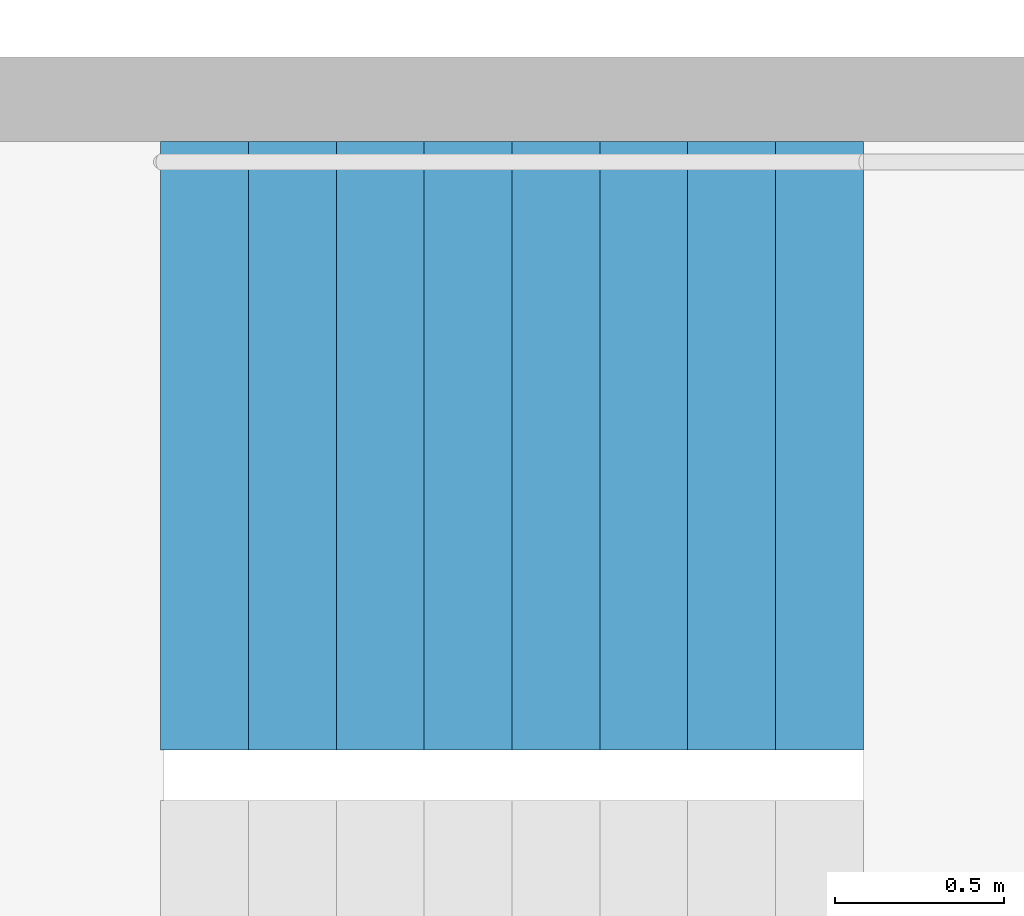
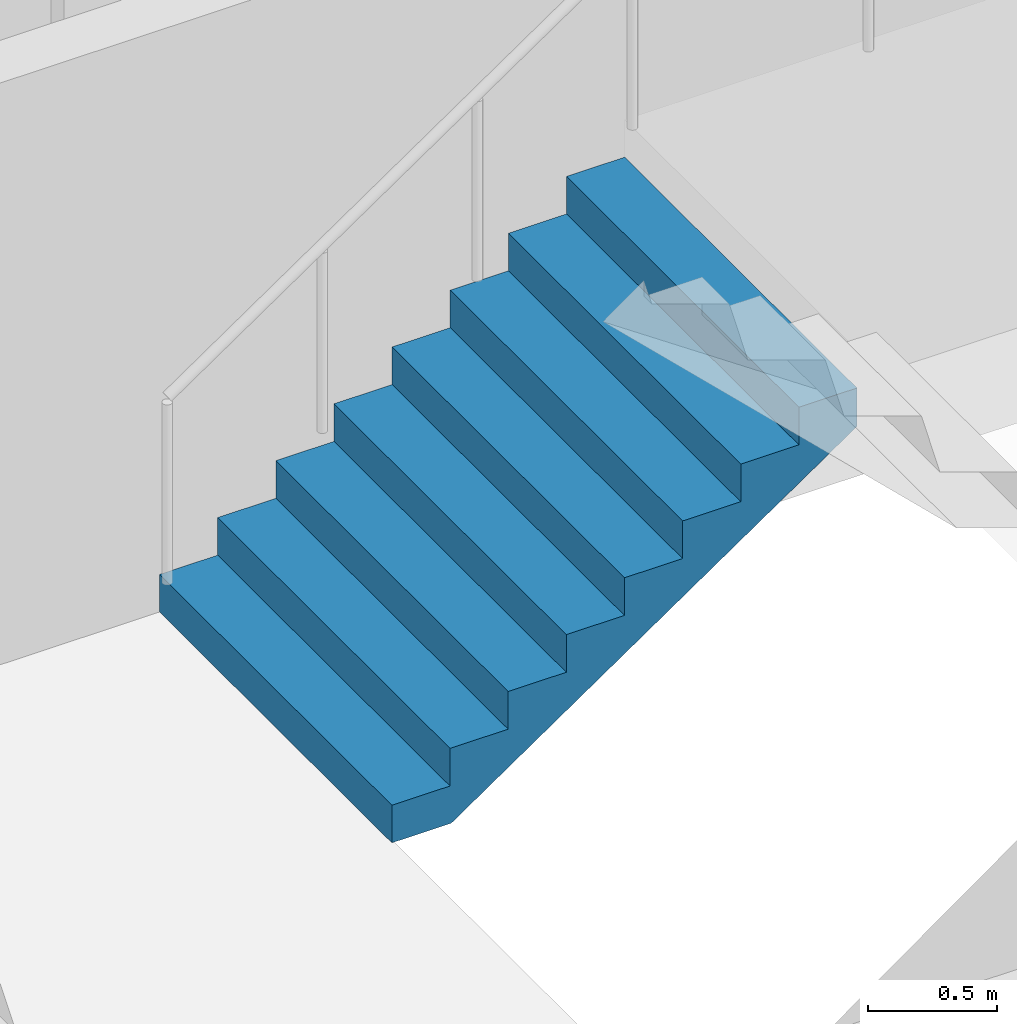
# One storey, part 24 of 32: 1 stair flight, 1 element without a shape of its own.
"""IFC4 building model written with IfcOpenShell, lengths in metres."""

import ifcopenshell
import ifcopenshell.guid

model = None  # the IFC model being written
_history = None  # IfcOwnerHistory: only IFC2X3 demands one
_inside = {}  # id of a spatial element -> (the spatial element, [elements in it])
_under = {}  # id of a project, library or spatial element -> (it, [spatial elements below it])
_declared = {}  # id of a project -> (the project, [libraries it declares])
_typed = {}  # id of a type object -> (the type object, [elements of that type])
_made_of = {}  # id of a material, layer set ... -> (it, [elements and type objects made of it])


def new_model(schema):
    """Start an empty IFC model of exactly this schema.

    Asked for "IFC4X3", IfcOpenShell would pick the latest addendum, in which some entities
    have other attributes; the version numbers below select the first issue.
    IFC2X3 requires an IfcOwnerHistory on every rooted entity: one is made here for all.
    """
    global model, _history
    if schema == "IFC4X3":
        model = ifcopenshell.file(schema_version=(4, 3, 0, 0))
    else:
        model = ifcopenshell.file(schema=schema)
    _inside.clear()
    _under.clear()
    _declared.clear()
    _typed.clear()
    _made_of.clear()
    _history = None
    if model.schema == "IFC2X3":
        org = make("IfcOrganization", Name="unknown")
        user = make(
            "IfcPersonAndOrganization",
            ThePerson=make("IfcPerson", FamilyName="unknown"),
            TheOrganization=org,
        )
        app = make(
            "IfcApplication",
            ApplicationDeveloper=org,
            Version="unknown",
            ApplicationFullName="unknown",
            ApplicationIdentifier="unknown",
        )
        _history = make(
            "IfcOwnerHistory",
            OwningUser=user,
            OwningApplication=app,
            ChangeAction="ADDED",
            CreationDate=0,
        )
    return model


def make(cls, **values):
    """One entity of the class cls with the attributes given. An attribute that is None is left unset."""
    return model.create_entity(
        cls, **{name: value for name, value in values.items() if value is not None}
    )


def rooted(cls, **values):
    """An entity with a GlobalId (a new one), such as an element, a storey or a relation."""
    return make(cls, GlobalId=ifcopenshell.guid.new(), OwnerHistory=_history, **values)


def si_unit(unit_type, name, prefix=None):
    """IfcSIUnit, for example si_unit("LENGTHUNIT", "METRE", prefix="MILLI")."""
    return make("IfcSIUnit", UnitType=unit_type, Prefix=prefix, Name=name)


def assignment(units):
    """IfcUnitAssignment: the units of a project."""
    return None if units is None else make("IfcUnitAssignment", Units=units)


def point(xyz):
    """IfcCartesianPoint."""
    return None if xyz is None else make("IfcCartesianPoint", Coordinates=xyz)


def direction(xyz):
    """IfcDirection."""
    return None if xyz is None else make("IfcDirection", DirectionRatios=xyz)


def frame(location, z_axis=None, x_axis=None):
    """IfcAxis2Placement3D, a coordinate frame: its origin and axes. An axis left out is left unset."""
    return make(
        "IfcAxis2Placement3D",
        Location=point(location),
        Axis=direction(z_axis),
        RefDirection=direction(x_axis),
    )


def origin():
    """The frame at (0, 0, 0) with its axes left unset."""
    return frame((0.0, 0.0, 0.0))


def place(relative_to, where):
    """IfcLocalPlacement: puts the frame where relative to a parent placement (None: the world)."""
    return make(
        "IfcLocalPlacement", PlacementRelTo=relative_to, RelativePlacement=where
    )


def context(
    kind, dimensions, precision=None, world=None, true_north=None, identifier=None
):
    """IfcGeometricRepresentationContext, for example the 3D "Model" context."""
    return make(
        "IfcGeometricRepresentationContext",
        ContextIdentifier=identifier,
        ContextType=kind,
        CoordinateSpaceDimension=dimensions,
        Precision=precision,
        WorldCoordinateSystem=world,
        TrueNorth=true_north,
    )


def subcontext(parent, identifier, kind, view, scale=None):
    """IfcGeometricRepresentationSubContext, for example "Body" below "Model"."""
    return make(
        "IfcGeometricRepresentationSubContext",
        ContextIdentifier=identifier,
        ContextType=kind,
        ParentContext=parent,
        TargetScale=scale,
        TargetView=view,
    )


def project(units=None, contexts=None):
    """IfcProject with its units and contexts."""
    return rooted(
        "IfcProject",
        Name="project",
        RepresentationContexts=contexts,
        UnitsInContext=assignment(units),
    )


def spatial(cls, under=None, at=None, **own):
    """A site, building, storey or space (cls), placed at a placement, below another one or the project."""
    s = rooted(cls, ObjectPlacement=at, **own)
    if under is not None:
        _under.setdefault(under.id(), (under, []))[1].append(s)
    return s


def point_list(points):
    """IfcCartesianPointList2D or 3D."""
    cls = (
        "IfcCartesianPointList2D" if len(points[0]) == 2 else "IfcCartesianPointList3D"
    )
    return make(cls, CoordList=points)


def triangles(points, corners, closed=None, point_numbers=None):
    """IfcTriangulatedFaceSet: each triangle names its three corners, points numbered from 1."""
    return make(
        "IfcTriangulatedFaceSet",
        Coordinates=point_list(points),
        Closed=closed,
        CoordIndex=corners,
        PnIndex=point_numbers,
    )


def shape(context_of_items, identifier, shape_type, items):
    """IfcShapeRepresentation: the items that make up one representation, for example the "Body"."""
    return make(
        "IfcShapeRepresentation",
        ContextOfItems=context_of_items,
        RepresentationIdentifier=identifier,
        RepresentationType=shape_type,
        Items=items,
    )


def material(Name=None, Category=None):
    """IfcMaterial."""
    return make("IfcMaterial", Name=Name, Category=Category)


def made_of(thing, what):
    """Note that an element or type object is made of a material, layer set ...; save() writes the relation."""
    if what is not None:
        _made_of.setdefault(what.id(), (what, []))[1].append(thing)
    return thing


def type_object(cls, material=None, **own):
    """A type object (cls), such as IfcWallType, which elements share."""
    return made_of(rooted(cls, **own), material)


def element(
    cls,
    number,
    at=None,
    inside=None,
    cuts=None,
    type_object=None,
    material=None,
    context=None,
    identifier="Body",
    shape_type=None,
    held_by="IfcProductDefinitionShape",
    body=None,
    shapes=None,
    **own,
):
    """One element of the class cls, such as IfcWall. Its Tag is "e" and its number.

    at: its placement. inside: the storey or other place that contains it. cuts: it is an
    opening in that element (IfcRelVoidsElement). A single representation is given by context,
    identifier, shape_type and body (its items); several are given by shapes. held_by: the class
    of the entity that holds the representations. save() writes the other relations.
    """
    e = rooted(cls, Tag="e%d" % number, ObjectPlacement=at, **own)
    if body is not None:
        shapes = [shape(context, identifier, shape_type, body)]
    if shapes is not None:
        e.Representation = make(held_by, Representations=shapes)
    if inside is not None:
        _inside.setdefault(inside.id(), (inside, []))[1].append(e)
    if cuts is not None:
        rooted(
            "IfcRelVoidsElement", RelatingBuildingElement=cuts, RelatedOpeningElement=e
        )
    if type_object is not None:
        _typed.setdefault(type_object.id(), (type_object, []))[1].append(e)
    return made_of(e, material)


def aggregate(whole, parts):
    """IfcRelAggregates: a whole, such as a stair, and the parts it consists of."""
    return rooted("IfcRelAggregates", RelatingObject=whole, RelatedObjects=parts)


def save(model, path):
    """Write the relations noted so far, then the file.

    IfcRelAggregates (storeys below a building ...), IfcRelContainedInSpatialStructure (elements
    in a storey), IfcRelDefinesByType, IfcRelAssociatesMaterial and IfcRelDeclares: one each for
    every whole, place, type object, material and project.
    """
    for whole, parts in _under.values():
        aggregate(whole, parts)
    for where, things in _inside.values():
        rooted(
            "IfcRelContainedInSpatialStructure",
            RelatedElements=things,
            RelatingStructure=where,
        )
    for kind, things in _typed.values():
        rooted("IfcRelDefinesByType", RelatedObjects=things, RelatingType=kind)
    for what, things in _made_of.values():
        rooted("IfcRelAssociatesMaterial", RelatedObjects=things, RelatingMaterial=what)
    for by, libraries in _declared.values():
        rooted("IfcRelDeclares", RelatingContext=by, RelatedDefinitions=libraries)
    model.write(path)


model = new_model("IFC4")

# Units and contexts
model_context = context("Model", 3, precision=1e-05, world=origin(), true_north=direction((0.0, 1.0)))
body_context = subcontext(model_context, "Body", "Model", "MODEL_VIEW")
ifc_project = project(units=[si_unit("LENGTHUNIT", "METRE"), si_unit("AREAUNIT", "SQUARE_METRE"), si_unit("VOLUMEUNIT", "CUBIC_METRE"), si_unit("PLANEANGLEUNIT", "RADIAN"), si_unit("MASSUNIT", "GRAM", prefix="KILO")], contexts=[model_context])

# Site, building, storey
site_placement = place(None, origin())
site = spatial("IfcSite", under=ifc_project, at=site_placement, CompositionType="ELEMENT")
building_placement = place(site_placement, origin())
building = spatial("IfcBuilding", under=site, at=building_placement, Name="Hakoniwa Tower and Hamabe Station Hall", CompositionType="ELEMENT")
storey_placement = place(building_placement, frame((0.0, 0.0, 150.199951171875)))
storey = spatial("IfcBuildingStorey", under=building, at=storey_placement, Name="L42", CompositionType="ELEMENT", Elevation=150.199951171875)

# Stair, stair flight
ifc_material_1 = material(Name="Concrete C40", Category="concrete")
stair_type = type_object("IfcStairType", Name="ESCAPE STAIR 1800", PredefinedType="HALF_TURN_STAIR", material=ifc_material_1)
stair_placement = place(storey_placement, origin())
stair = element("IfcStair", 1, at=stair_placement, inside=storey, type_object=stair_type, Name="Escape stair ST-4 L42", PredefinedType="HALF_TURN_STAIR")
ifc_material_2 = material(Name="Concrete C40", Category="concrete")
stair_flight_type = type_object("IfcStairFlightType", Name="STAIR FLIGHT 1800", PredefinedType="STRAIGHT", material=ifc_material_2)
stair_flight_placement = place(storey_placement, frame((23.39990234375, -4.64990234375, 0.0), z_axis=(0.0, 0.0, 1.0), x_axis=(1.0, 0.0, 0.0)))
stair_flight = element("IfcStairFlight", 2, at=stair_flight_placement, type_object=stair_flight_type, Name="ST-4 flight 1", NumberOfRisers=9, NumberOfTreads=8, PredefinedType="STRAIGHT", RiserHeight=0.177777778, TreadLength=0.26, context=body_context, shape_type="Tessellation", body=[
    triangles([(0.0, 0.89990234375, 0.0), (0.260009765625, 0.89990234375, 0.0), (0.265625, 0.89990234375, 0.0), (0.52001953125, 0.89990234375, 0.174072265625), (0.780029296875, 0.89990234375, 0.351806640625), (1.0400390625, 0.89990234375, 0.529541015625), (1.300048828125, 0.89990234375, 0.707275390625), (1.56005859375, 0.89990234375, 0.885009765625), (1.820068359375, 0.89990234375, 1.062744140625), (2.080078125, 0.89990234375, 1.24072265625), (2.080078125, 0.89990234375, 1.422119140625), (1.820068359375, 0.89990234375, 1.422119140625), (1.820068359375, 0.89990234375, 1.244384765625), (1.56005859375, 0.89990234375, 1.244384765625), (1.56005859375, 0.89990234375, 1.066650390625), (1.300048828125, 0.89990234375, 1.066650390625), (1.300048828125, 0.89990234375, 0.888916015625), (1.0400390625, 0.89990234375, 0.888916015625), (1.0400390625, 0.89990234375, 0.711181640625), (0.780029296875, 0.89990234375, 0.711181640625), (0.780029296875, 0.89990234375, 0.533447265625), (0.52001953125, 0.89990234375, 0.533447265625), (0.52001953125, 0.89990234375, 0.35546875), (0.265625, 0.89990234375, 0.35546875), (0.260009765625, 0.89990234375, 0.35546875), (0.260009765625, 0.89990234375, 0.177734375), (0.0, 0.89990234375, 0.177734375), (0.0, 0.06005859375, 0.0), (0.260009765625, 0.06005859375, 0.0), (0.265625, 0.06005859375, 0.0), (0.52001953125, 0.06005859375, 0.174072265625), (0.780029296875, 0.06005859375, 0.351806640625), (1.0400390625, 0.06005859375, 0.529541015625), (1.300048828125, 0.06005859375, 0.707275390625), (1.56005859375, 0.06005859375, 0.885009765625), (1.820068359375, 0.06005859375, 1.062744140625), (2.080078125, 0.06005859375, 1.24072265625), (2.080078125, 0.06005859375, 1.422119140625), (1.820068359375, 0.06005859375, 1.422119140625), (1.820068359375, 0.06005859375, 1.244384765625), (1.56005859375, 0.06005859375, 1.244384765625), (1.56005859375, 0.06005859375, 1.066650390625), (1.300048828125, 0.06005859375, 1.066650390625), (1.300048828125, 0.06005859375, 0.888916015625), (1.0400390625, 0.06005859375, 0.888916015625), (1.0400390625, 0.06005859375, 0.711181640625), (0.780029296875, 0.06005859375, 0.711181640625), (0.780029296875, 0.06005859375, 0.533447265625), (0.52001953125, 0.06005859375, 0.533447265625), (0.52001953125, 0.06005859375, 0.35546875), (0.265625, 0.06005859375, 0.35546875), (0.260009765625, 0.06005859375, 0.35546875), (0.260009765625, 0.06005859375, 0.177734375), (0.0, 0.06005859375, 0.177734375), (0.0, 0.04296875, 0.0), (0.260009765625, 0.04296875, 0.0), (0.265625, 0.04296875, 0.0), (0.52001953125, 0.04296875, 0.174072265625), (0.780029296875, 0.04296875, 0.351806640625), (1.0400390625, 0.04296875, 0.529541015625), (1.300048828125, 0.04296875, 0.707275390625), (1.56005859375, 0.04296875, 0.885009765625), (1.820068359375, 0.04296875, 1.062744140625), (2.080078125, 0.04296875, 1.24072265625), (2.080078125, 0.04296875, 1.422119140625), (1.820068359375, 0.04296875, 1.422119140625), (1.820068359375, 0.04296875, 1.244384765625), (1.56005859375, 0.04296875, 1.244384765625), (1.56005859375, 0.04296875, 1.066650390625), (1.300048828125, 0.04296875, 1.066650390625), (1.300048828125, 0.04296875, 0.888916015625), (1.0400390625, 0.04296875, 0.888916015625), (1.0400390625, 0.04296875, 0.711181640625), (0.780029296875, 0.04296875, 0.711181640625), (0.780029296875, 0.04296875, 0.533447265625), (0.52001953125, 0.04296875, 0.533447265625), (0.52001953125, 0.04296875, 0.35546875), (0.265625, 0.04296875, 0.35546875), (0.260009765625, 0.04296875, 0.35546875), (0.260009765625, 0.04296875, 0.177734375), (0.0, 0.04296875, 0.177734375), (0.0, 0.025634765625, 0.0), (0.260009765625, 0.025634765625, 0.0), (0.265625, 0.025634765625, 0.0), (0.52001953125, 0.025634765625, 0.174072265625), (0.780029296875, 0.025634765625, 0.351806640625), (1.0400390625, 0.025634765625, 0.529541015625), (1.300048828125, 0.025634765625, 0.707275390625), (1.56005859375, 0.025634765625, 0.885009765625), (1.820068359375, 0.025634765625, 1.062744140625), (2.080078125, 0.025634765625, 1.24072265625), (2.080078125, 0.025634765625, 1.422119140625), (1.820068359375, 0.025634765625, 1.422119140625), (1.820068359375, 0.025634765625, 1.244384765625), (1.56005859375, 0.025634765625, 1.244384765625), (1.56005859375, 0.025634765625, 1.066650390625), (1.300048828125, 0.025634765625, 1.066650390625), (1.300048828125, 0.025634765625, 0.888916015625), (1.0400390625, 0.025634765625, 0.888916015625), (1.0400390625, 0.025634765625, 0.711181640625), (0.780029296875, 0.025634765625, 0.711181640625), (0.780029296875, 0.025634765625, 0.533447265625), (0.52001953125, 0.025634765625, 0.533447265625), (0.52001953125, 0.025634765625, 0.35546875), (0.265625, 0.025634765625, 0.35546875), (0.260009765625, 0.025634765625, 0.35546875), (0.260009765625, 0.025634765625, 0.177734375), (0.0, 0.025634765625, 0.177734375), (0.0, 0.008544921875, 0.0), (0.260009765625, 0.008544921875, 0.0), (0.265625, 0.008544921875, 0.0), (0.52001953125, 0.008544921875, 0.174072265625), (0.780029296875, 0.008544921875, 0.351806640625), (1.0400390625, 0.008544921875, 0.529541015625), (1.300048828125, 0.008544921875, 0.707275390625), (1.56005859375, 0.008544921875, 0.885009765625), (1.820068359375, 0.008544921875, 1.062744140625), (2.080078125, 0.008544921875, 1.24072265625), (2.080078125, 0.008544921875, 1.422119140625), (1.820068359375, 0.008544921875, 1.422119140625), (1.820068359375, 0.008544921875, 1.244384765625), (1.56005859375, 0.008544921875, 1.244384765625), (1.56005859375, 0.008544921875, 1.066650390625), (1.300048828125, 0.008544921875, 1.066650390625), (1.300048828125, 0.008544921875, 0.888916015625), (1.0400390625, 0.008544921875, 0.888916015625), (1.0400390625, 0.008544921875, 0.711181640625), (0.780029296875, 0.008544921875, 0.711181640625), (0.780029296875, 0.008544921875, 0.533447265625), (0.52001953125, 0.008544921875, 0.533447265625), (0.52001953125, 0.008544921875, 0.35546875), (0.265625, 0.008544921875, 0.35546875), (0.260009765625, 0.008544921875, 0.35546875), (0.260009765625, 0.008544921875, 0.177734375), (0.0, 0.008544921875, 0.177734375), (0.0, -0.008544921875, 0.0), (0.260009765625, -0.008544921875, 0.0), (0.265625, -0.008544921875, 0.0), (0.52001953125, -0.008544921875, 0.174072265625), (0.780029296875, -0.008544921875, 0.351806640625), (1.0400390625, -0.008544921875, 0.529541015625), (1.300048828125, -0.008544921875, 0.707275390625), (1.56005859375, -0.008544921875, 0.885009765625), (1.820068359375, -0.008544921875, 1.062744140625), (2.080078125, -0.008544921875, 1.24072265625), (2.080078125, -0.008544921875, 1.422119140625), (1.820068359375, -0.008544921875, 1.422119140625), (1.820068359375, -0.008544921875, 1.244384765625), (1.56005859375, -0.008544921875, 1.244384765625), (1.56005859375, -0.008544921875, 1.066650390625), (1.300048828125, -0.008544921875, 1.066650390625), (1.300048828125, -0.008544921875, 0.888916015625), (1.0400390625, -0.008544921875, 0.888916015625), (1.0400390625, -0.008544921875, 0.711181640625), (0.780029296875, -0.008544921875, 0.711181640625), (0.780029296875, -0.008544921875, 0.533447265625), (0.52001953125, -0.008544921875, 0.533447265625), (0.52001953125, -0.008544921875, 0.35546875), (0.265625, -0.008544921875, 0.35546875), (0.260009765625, -0.008544921875, 0.35546875), (0.260009765625, -0.008544921875, 0.177734375), (0.0, -0.008544921875, 0.177734375), (0.0, -0.025634765625, 0.0), (0.260009765625, -0.025634765625, 0.0), (0.265625, -0.025634765625, 0.0), (0.52001953125, -0.025634765625, 0.174072265625), (0.780029296875, -0.025634765625, 0.351806640625), (1.0400390625, -0.025634765625, 0.529541015625), (1.300048828125, -0.025634765625, 0.707275390625), (1.56005859375, -0.025634765625, 0.885009765625), (1.820068359375, -0.025634765625, 1.062744140625), (2.080078125, -0.025634765625, 1.24072265625), (2.080078125, -0.025634765625, 1.422119140625), (1.820068359375, -0.025634765625, 1.422119140625), (1.820068359375, -0.025634765625, 1.244384765625), (1.56005859375, -0.025634765625, 1.244384765625), (1.56005859375, -0.025634765625, 1.066650390625), (1.300048828125, -0.025634765625, 1.066650390625), (1.300048828125, -0.025634765625, 0.888916015625), (1.0400390625, -0.025634765625, 0.888916015625), (1.0400390625, -0.025634765625, 0.711181640625), (0.780029296875, -0.025634765625, 0.711181640625), (0.780029296875, -0.025634765625, 0.533447265625), (0.52001953125, -0.025634765625, 0.533447265625), (0.52001953125, -0.025634765625, 0.35546875), (0.265625, -0.025634765625, 0.35546875), (0.260009765625, -0.025634765625, 0.35546875), (0.260009765625, -0.025634765625, 0.177734375), (0.0, -0.025634765625, 0.177734375), (0.0, -0.04296875, 0.0), (0.260009765625, -0.04296875, 0.0), (0.265625, -0.04296875, 0.0), (0.52001953125, -0.04296875, 0.174072265625), (0.780029296875, -0.04296875, 0.351806640625), (1.0400390625, -0.04296875, 0.529541015625), (1.300048828125, -0.04296875, 0.707275390625), (1.56005859375, -0.04296875, 0.885009765625), (1.820068359375, -0.04296875, 1.062744140625), (2.080078125, -0.04296875, 1.24072265625), (2.080078125, -0.04296875, 1.422119140625), (1.820068359375, -0.04296875, 1.422119140625), (1.820068359375, -0.04296875, 1.244384765625), (1.56005859375, -0.04296875, 1.244384765625), (1.56005859375, -0.04296875, 1.066650390625), (1.300048828125, -0.04296875, 1.066650390625), (1.300048828125, -0.04296875, 0.888916015625), (1.0400390625, -0.04296875, 0.888916015625), (1.0400390625, -0.04296875, 0.711181640625), (0.780029296875, -0.04296875, 0.711181640625), (0.780029296875, -0.04296875, 0.533447265625), (0.52001953125, -0.04296875, 0.533447265625), (0.52001953125, -0.04296875, 0.35546875), (0.265625, -0.04296875, 0.35546875), (0.260009765625, -0.04296875, 0.35546875), (0.260009765625, -0.04296875, 0.177734375), (0.0, -0.04296875, 0.177734375), (0.0, -0.06005859375, 0.0), (0.260009765625, -0.06005859375, 0.0), (0.265625, -0.06005859375, 0.0), (0.52001953125, -0.06005859375, 0.174072265625), (0.780029296875, -0.06005859375, 0.351806640625), (1.0400390625, -0.06005859375, 0.529541015625), (1.300048828125, -0.06005859375, 0.707275390625), (1.56005859375, -0.06005859375, 0.885009765625), (1.820068359375, -0.06005859375, 1.062744140625), (2.080078125, -0.06005859375, 1.24072265625), (2.080078125, -0.06005859375, 1.422119140625), (1.820068359375, -0.06005859375, 1.422119140625), (1.820068359375, -0.06005859375, 1.244384765625), (1.56005859375, -0.06005859375, 1.244384765625), (1.56005859375, -0.06005859375, 1.066650390625), (1.300048828125, -0.06005859375, 1.066650390625), (1.300048828125, -0.06005859375, 0.888916015625), (1.0400390625, -0.06005859375, 0.888916015625), (1.0400390625, -0.06005859375, 0.711181640625), (0.780029296875, -0.06005859375, 0.711181640625), (0.780029296875, -0.06005859375, 0.533447265625), (0.52001953125, -0.06005859375, 0.533447265625), (0.52001953125, -0.06005859375, 0.35546875), (0.265625, -0.06005859375, 0.35546875), (0.260009765625, -0.06005859375, 0.35546875), (0.260009765625, -0.06005859375, 0.177734375), (0.0, -0.06005859375, 0.177734375), (0.0, -0.89990234375, 0.0), (0.260009765625, -0.89990234375, 0.0), (0.265625, -0.89990234375, 0.0), (0.52001953125, -0.89990234375, 0.174072265625), (0.780029296875, -0.89990234375, 0.351806640625), (1.0400390625, -0.89990234375, 0.529541015625), (1.300048828125, -0.89990234375, 0.707275390625), (1.56005859375, -0.89990234375, 0.885009765625), (1.820068359375, -0.89990234375, 1.062744140625), (2.080078125, -0.89990234375, 1.24072265625), (2.080078125, -0.89990234375, 1.422119140625), (1.820068359375, -0.89990234375, 1.422119140625), (1.820068359375, -0.89990234375, 1.244384765625), (1.56005859375, -0.89990234375, 1.244384765625), (1.56005859375, -0.89990234375, 1.066650390625), (1.300048828125, -0.89990234375, 1.066650390625), (1.300048828125, -0.89990234375, 0.888916015625), (1.0400390625, -0.89990234375, 0.888916015625), (1.0400390625, -0.89990234375, 0.711181640625), (0.780029296875, -0.89990234375, 0.711181640625), (0.780029296875, -0.89990234375, 0.533447265625), (0.52001953125, -0.89990234375, 0.533447265625), (0.52001953125, -0.89990234375, 0.35546875), (0.265625, -0.89990234375, 0.35546875), (0.260009765625, -0.89990234375, 0.35546875), (0.260009765625, -0.89990234375, 0.177734375), (0.0, -0.89990234375, 0.177734375)], [[2, 27, 26], [245, 269, 270], [2, 1, 27], [245, 270, 244], [3, 25, 24], [246, 267, 268], [3, 26, 25], [246, 268, 269], [3, 2, 26], [246, 269, 245], [4, 24, 23], [247, 266, 267], [4, 3, 24], [247, 267, 246], [5, 22, 21], [248, 264, 265], [5, 23, 22], [248, 265, 266], [5, 4, 23], [248, 266, 247], [6, 20, 19], [249, 262, 263], [6, 21, 20], [249, 263, 264], [6, 5, 21], [249, 264, 248], [7, 18, 17], [250, 260, 261], [7, 19, 18], [250, 261, 262], [7, 6, 19], [250, 262, 249], [8, 16, 15], [251, 258, 259], [8, 17, 16], [251, 259, 260], [8, 7, 17], [251, 260, 250], [9, 14, 13], [252, 256, 257], [9, 15, 14], [252, 257, 258], [9, 8, 15], [252, 258, 251], [10, 12, 11], [253, 254, 255], [10, 13, 12], [253, 255, 256], [10, 9, 13], [253, 256, 252], [1, 2, 29], [1, 29, 28], [28, 29, 56], [28, 56, 55], [55, 56, 83], [55, 83, 82], [82, 83, 110], [82, 110, 109], [109, 110, 137], [109, 137, 136], [136, 137, 164], [136, 164, 163], [163, 164, 191], [163, 191, 190], [190, 191, 218], [190, 218, 217], [217, 218, 245], [217, 245, 244], [2, 3, 30], [2, 30, 29], [29, 30, 57], [29, 57, 56], [56, 57, 84], [56, 84, 83], [83, 84, 111], [83, 111, 110], [110, 111, 138], [110, 138, 137], [137, 138, 165], [137, 165, 164], [164, 165, 192], [164, 192, 191], [191, 192, 219], [191, 219, 218], [218, 219, 246], [218, 246, 245], [3, 4, 31], [3, 31, 30], [30, 31, 58], [30, 58, 57], [57, 58, 85], [57, 85, 84], [84, 85, 112], [84, 112, 111], [111, 112, 139], [111, 139, 138], [138, 139, 166], [138, 166, 165], [165, 166, 193], [165, 193, 192], [192, 193, 220], [192, 220, 219], [219, 220, 247], [219, 247, 246], [4, 5, 32], [4, 32, 31], [31, 32, 59], [31, 59, 58], [58, 59, 86], [58, 86, 85], [85, 86, 113], [85, 113, 112], [112, 113, 140], [112, 140, 139], [139, 140, 167], [139, 167, 166], [166, 167, 194], [166, 194, 193], [193, 194, 221], [193, 221, 220], [220, 221, 248], [220, 248, 247], [5, 6, 33], [5, 33, 32], [32, 33, 60], [32, 60, 59], [59, 60, 87], [59, 87, 86], [86, 87, 114], [86, 114, 113], [113, 114, 141], [113, 141, 140], [140, 141, 168], [140, 168, 167], [167, 168, 195], [167, 195, 194], [194, 195, 222], [194, 222, 221], [221, 222, 249], [221, 249, 248], [6, 7, 34], [6, 34, 33], [33, 34, 61], [33, 61, 60], [60, 61, 88], [60, 88, 87], [87, 88, 115], [87, 115, 114], [114, 115, 142], [114, 142, 141], [141, 142, 169], [141, 169, 168], [168, 169, 196], [168, 196, 195], [195, 196, 223], [195, 223, 222], [222, 223, 250], [222, 250, 249], [7, 8, 35], [7, 35, 34], [34, 35, 62], [34, 62, 61], [61, 62, 89], [61, 89, 88], [88, 89, 116], [88, 116, 115], [115, 116, 143], [115, 143, 142], [142, 143, 170], [142, 170, 169], [169, 170, 197], [169, 197, 196], [196, 197, 224], [196, 224, 223], [223, 224, 251], [223, 251, 250], [8, 9, 36], [8, 36, 35], [35, 36, 63], [35, 63, 62], [62, 63, 90], [62, 90, 89], [89, 90, 117], [89, 117, 116], [116, 117, 144], [116, 144, 143], [143, 144, 171], [143, 171, 170], [170, 171, 198], [170, 198, 197], [197, 198, 225], [197, 225, 224], [224, 225, 252], [224, 252, 251], [9, 10, 37], [9, 37, 36], [36, 37, 64], [36, 64, 63], [63, 64, 91], [63, 91, 90], [90, 91, 118], [90, 118, 117], [117, 118, 145], [117, 145, 144], [144, 145, 172], [144, 172, 171], [171, 172, 199], [171, 199, 198], [198, 199, 226], [198, 226, 225], [225, 226, 253], [225, 253, 252], [10, 11, 38], [10, 38, 37], [37, 38, 65], [37, 65, 64], [64, 65, 92], [64, 92, 91], [91, 92, 119], [91, 119, 118], [118, 119, 146], [118, 146, 145], [145, 146, 173], [145, 173, 172], [172, 173, 200], [172, 200, 199], [199, 200, 227], [199, 227, 226], [226, 227, 254], [226, 254, 253], [11, 12, 39], [11, 39, 38], [38, 39, 66], [38, 66, 65], [65, 66, 93], [65, 93, 92], [92, 93, 120], [92, 120, 119], [119, 120, 147], [119, 147, 146], [146, 147, 174], [146, 174, 173], [173, 174, 201], [173, 201, 200], [200, 201, 228], [200, 228, 227], [227, 228, 255], [227, 255, 254], [12, 13, 40], [12, 40, 39], [39, 40, 67], [39, 67, 66], [66, 67, 94], [66, 94, 93], [93, 94, 121], [93, 121, 120], [120, 121, 148], [120, 148, 147], [147, 148, 175], [147, 175, 174], [174, 175, 202], [174, 202, 201], [201, 202, 229], [201, 229, 228], [228, 229, 256], [228, 256, 255], [13, 14, 41], [13, 41, 40], [40, 41, 68], [40, 68, 67], [67, 68, 95], [67, 95, 94], [94, 95, 122], [94, 122, 121], [121, 122, 149], [121, 149, 148], [148, 149, 176], [148, 176, 175], [175, 176, 203], [175, 203, 202], [202, 203, 230], [202, 230, 229], [229, 230, 257], [229, 257, 256], [14, 15, 42], [14, 42, 41], [41, 42, 69], [41, 69, 68], [68, 69, 96], [68, 96, 95], [95, 96, 123], [95, 123, 122], [122, 123, 150], [122, 150, 149], [149, 150, 177], [149, 177, 176], [176, 177, 204], [176, 204, 203], [203, 204, 231], [203, 231, 230], [230, 231, 258], [230, 258, 257], [15, 16, 43], [15, 43, 42], [42, 43, 70], [42, 70, 69], [69, 70, 97], [69, 97, 96], [96, 97, 124], [96, 124, 123], [123, 124, 151], [123, 151, 150], [150, 151, 178], [150, 178, 177], [177, 178, 205], [177, 205, 204], [204, 205, 232], [204, 232, 231], [231, 232, 259], [231, 259, 258], [16, 17, 44], [16, 44, 43], [43, 44, 71], [43, 71, 70], [70, 71, 98], [70, 98, 97], [97, 98, 125], [97, 125, 124], [124, 125, 152], [124, 152, 151], [151, 152, 179], [151, 179, 178], [178, 179, 206], [178, 206, 205], [205, 206, 233], [205, 233, 232], [232, 233, 260], [232, 260, 259], [17, 18, 45], [17, 45, 44], [44, 45, 72], [44, 72, 71], [71, 72, 99], [71, 99, 98], [98, 99, 126], [98, 126, 125], [125, 126, 153], [125, 153, 152], [152, 153, 180], [152, 180, 179], [179, 180, 207], [179, 207, 206], [206, 207, 234], [206, 234, 233], [233, 234, 261], [233, 261, 260], [18, 19, 46], [18, 46, 45], [45, 46, 73], [45, 73, 72], [72, 73, 100], [72, 100, 99], [99, 100, 127], [99, 127, 126], [126, 127, 154], [126, 154, 153], [153, 154, 181], [153, 181, 180], [180, 181, 208], [180, 208, 207], [207, 208, 235], [207, 235, 234], [234, 235, 262], [234, 262, 261], [19, 20, 47], [19, 47, 46], [46, 47, 74], [46, 74, 73], [73, 74, 101], [73, 101, 100], [100, 101, 128], [100, 128, 127], [127, 128, 155], [127, 155, 154], [154, 155, 182], [154, 182, 181], [181, 182, 209], [181, 209, 208], [208, 209, 236], [208, 236, 235], [235, 236, 263], [235, 263, 262], [20, 21, 48], [20, 48, 47], [47, 48, 75], [47, 75, 74], [74, 75, 102], [74, 102, 101], [101, 102, 129], [101, 129, 128], [128, 129, 156], [128, 156, 155], [155, 156, 183], [155, 183, 182], [182, 183, 210], [182, 210, 209], [209, 210, 237], [209, 237, 236], [236, 237, 264], [236, 264, 263], [21, 22, 49], [21, 49, 48], [48, 49, 76], [48, 76, 75], [75, 76, 103], [75, 103, 102], [102, 103, 130], [102, 130, 129], [129, 130, 157], [129, 157, 156], [156, 157, 184], [156, 184, 183], [183, 184, 211], [183, 211, 210], [210, 211, 238], [210, 238, 237], [237, 238, 265], [237, 265, 264], [22, 23, 50], [22, 50, 49], [49, 50, 77], [49, 77, 76], [76, 77, 104], [76, 104, 103], [103, 104, 131], [103, 131, 130], [130, 131, 158], [130, 158, 157], [157, 158, 185], [157, 185, 184], [184, 185, 212], [184, 212, 211], [211, 212, 239], [211, 239, 238], [238, 239, 266], [238, 266, 265], [23, 24, 51], [23, 51, 50], [50, 51, 78], [50, 78, 77], [77, 78, 105], [77, 105, 104], [104, 105, 132], [104, 132, 131], [131, 132, 159], [131, 159, 158], [158, 159, 186], [158, 186, 185], [185, 186, 213], [185, 213, 212], [212, 213, 240], [212, 240, 239], [239, 240, 267], [239, 267, 266], [24, 25, 52], [24, 52, 51], [51, 52, 79], [51, 79, 78], [78, 79, 106], [78, 106, 105], [105, 106, 133], [105, 133, 132], [132, 133, 160], [132, 160, 159], [159, 160, 187], [159, 187, 186], [186, 187, 214], [186, 214, 213], [213, 214, 241], [213, 241, 240], [240, 241, 268], [240, 268, 267], [25, 26, 53], [25, 53, 52], [52, 53, 80], [52, 80, 79], [79, 80, 107], [79, 107, 106], [106, 107, 134], [106, 134, 133], [133, 134, 161], [133, 161, 160], [160, 161, 188], [160, 188, 187], [187, 188, 215], [187, 215, 214], [214, 215, 242], [214, 242, 241], [241, 242, 269], [241, 269, 268], [26, 27, 54], [26, 54, 53], [53, 54, 81], [53, 81, 80], [80, 81, 108], [80, 108, 107], [107, 108, 135], [107, 135, 134], [134, 135, 162], [134, 162, 161], [161, 162, 189], [161, 189, 188], [188, 189, 216], [188, 216, 215], [215, 216, 243], [215, 243, 242], [242, 243, 270], [242, 270, 269], [27, 1, 28], [27, 28, 54], [54, 28, 55], [54, 55, 81], [81, 55, 82], [81, 82, 108], [108, 82, 109], [108, 109, 135], [135, 109, 136], [135, 136, 162], [162, 136, 163], [162, 163, 189], [189, 163, 190], [189, 190, 216], [216, 190, 217], [216, 217, 243], [243, 217, 244], [243, 244, 270]], closed=True),
])
aggregate(stair, [stair_flight])

save(model, "model.ifc")
